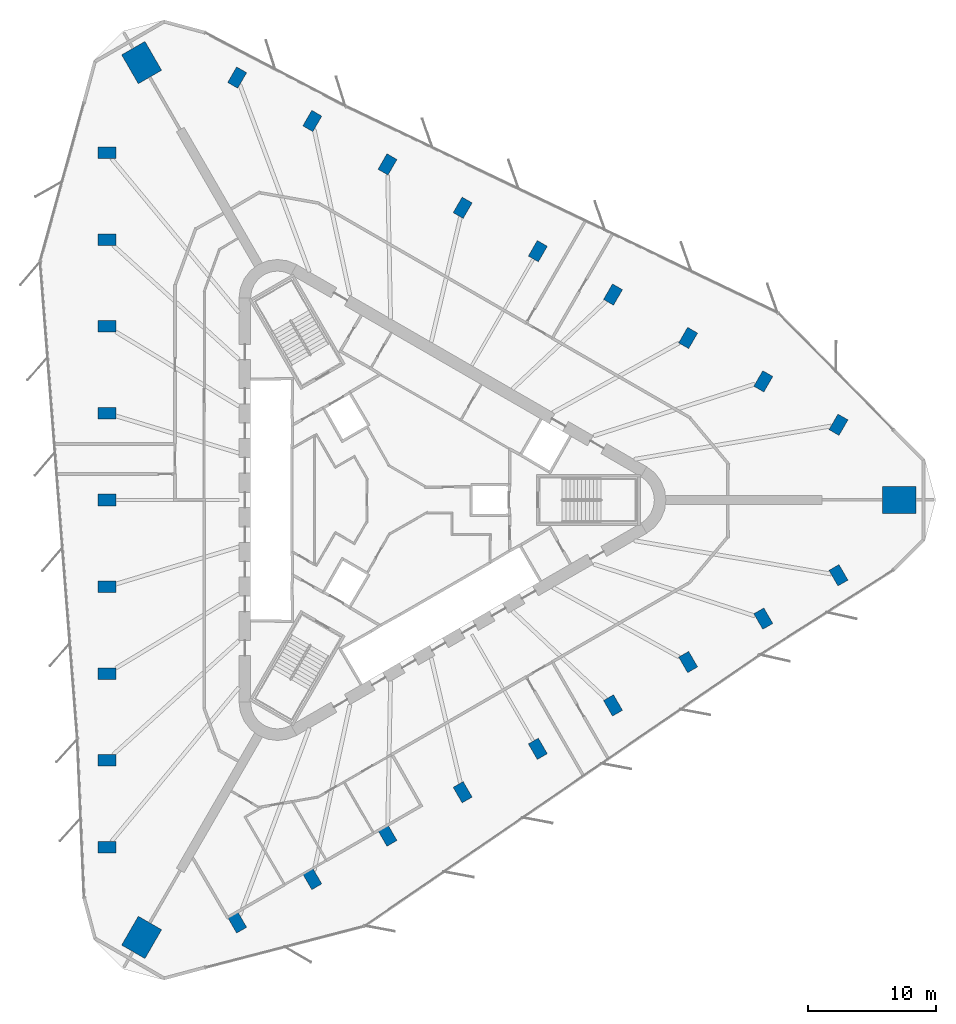
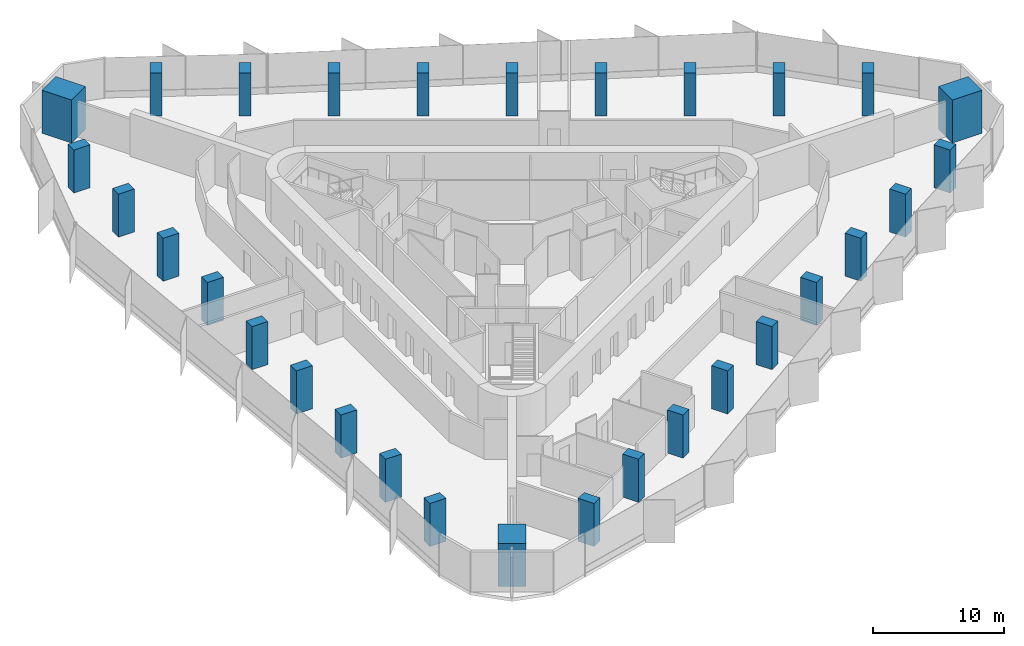
# One storey, part 1 of 13: 30 columns.
"""IFC4 building model written with IfcOpenShell, lengths in metres."""

from ifc_helpers import new_model, si_unit, direction, frame, origin, origin_2d, place, context, subcontext, project, spatial, rectangle, extrude, material, material_profile, profile_set, type_object, element, save


model = new_model("IFC4")

# Units and contexts
model_context = context("Model", 3, precision=1e-05, world=origin(), true_north=direction((0.0, 1.0)))
body_context = subcontext(model_context, "Body", "Model", "MODEL_VIEW")
ifc_project = project(units=[si_unit("LENGTHUNIT", "METRE"), si_unit("AREAUNIT", "SQUARE_METRE"), si_unit("VOLUMEUNIT", "CUBIC_METRE"), si_unit("PLANEANGLEUNIT", "RADIAN"), si_unit("MASSUNIT", "GRAM", prefix="KILO")], contexts=[model_context])

# Site, building, storey
site_placement = place(None, origin())
site = spatial("IfcSite", under=ifc_project, at=site_placement, CompositionType="ELEMENT")
building_placement = place(site_placement, origin())
building = spatial("IfcBuilding", under=site, at=building_placement, Name="Tanit Gate Tower", CompositionType="ELEMENT")
storey_placement = place(building_placement, frame((0.0, 0.0, 189.199951171875)))
storey = spatial("IfcBuildingStorey", under=building, at=storey_placement, Name="L41", CompositionType="ELEMENT", Elevation=189.199951171875)

# Columns
ifc_material_1 = material(Name="Concrete C60/75", Category="concrete")
ifc_material_profile_1 = material_profile(ifc_material_1, rectangle(XDim=2.60009765625, YDim=2.10009765625, at=origin_2d()), Name="RC 2600x2100")
ifc_profile_set_1 = profile_set([ifc_material_profile_1], Name="Concrete C60/75")
column_type_1 = type_object("IfcColumnType", Name="MEGA COLUMN 2600x2100 C60/75", PredefinedType="COLUMN", material=ifc_profile_set_1)
for number, where, z_axis, x_axis, name in (
    (1, (39.40234375, 0.0, 0.0), (0.0, 0.0, 1.0), (1.0, 0.0, 0.0), "MEGA COLUMN"),
    (2, (-19.701171875, 34.12353515625, 0.0), (0.0, 0.0, 1.0), (-0.5, 0.866025403784, 0.0), "MEGA COLUMN"),
    (3, (-19.701171875, -34.12353515625, 0.0), (0.0, 0.0, 1.0), (-0.5, -0.866025403784, 0.0), "MEGA COLUMN"),
):
    element("IfcColumn", number, at=place(storey_placement, frame(where, z_axis=z_axis, x_axis=x_axis)), inside=storey, type_object=column_type_1, Name=name, PredefinedType="COLUMN", context=body_context, shape_type="SweptSolid", body=[
        extrude(rectangle(XDim=2.60009765625, YDim=2.10009765625, at=origin_2d()), origin(), (0.0, 0.0, 1.0), 4.0),
    ])
ifc_material_2 = material(Name="Concrete C50/60", Category="concrete")
ifc_material_profile_2 = material_profile(ifc_material_2, rectangle(XDim=1.39990234375, YDim=0.89990234375, at=origin_2d()), Name="RC 1400x900")
ifc_profile_set_2 = profile_set([ifc_material_profile_2], Name="Concrete C50/60")
column_type_2 = type_object("IfcColumnType", Name="PERIMETER COLUMN 1400x900 C50/60", PredefinedType="COLUMN", material=ifc_profile_set_2)
for number, where, z_axis, x_axis, name in (
    (4, (-22.414794921875, 27.083984375, 0.0), (0.0, 0.0, 1.0), (-1.0, 0.0, 0.0), "PERIMETER COLUMN"),
    (5, (-22.414794921875, 20.31298828125, 0.0), (0.0, 0.0, 1.0), (-1.0, 0.0, 0.0), "PERIMETER COLUMN"),
    (6, (-22.414794921875, 13.5419921875, 0.0), (0.0, 0.0, 1.0), (-1.0, 0.0, 0.0), "PERIMETER COLUMN"),
    (7, (-22.414794921875, 6.77099609375, 0.0), (0.0, 0.0, 1.0), (-1.0, 0.0, 0.0), "PERIMETER COLUMN"),
    (8, (-22.414794921875, 0.0, 0.0), (0.0, 0.0, 1.0), (-1.0, 0.0, 0.0), "PERIMETER COLUMN"),
    (9, (-22.414794921875, -6.77099609375, 0.0), (0.0, 0.0, 1.0), (-1.0, 0.0, 0.0), "PERIMETER COLUMN"),
    (10, (-22.414794921875, -13.5419921875, 0.0), (0.0, 0.0, 1.0), (-1.0, 0.0, 0.0), "PERIMETER COLUMN"),
    (11, (-22.414794921875, -20.31298828125, 0.0), (0.0, 0.0, 1.0), (-1.0, 0.0, 0.0), "PERIMETER COLUMN"),
    (12, (-22.414794921875, -27.083984375, 0.0), (0.0, 0.0, 1.0), (-1.0, 0.0, 0.0), "PERIMETER COLUMN"),
    (13, (34.66259765625, 5.86962890625, 0.0), (0.0, 0.0, 1.0), (0.5, 0.866025403784, 0.0), "PERIMETER COLUMN"),
    (14, (28.798828125, 9.255126953125, 0.0), (0.0, 0.0, 1.0), (0.5, 0.866025403784, 0.0), "PERIMETER COLUMN"),
    (15, (22.93505859375, 12.640625, 0.0), (0.0, 0.0, 1.0), (0.5, 0.866025403784, 0.0), "PERIMETER COLUMN"),
    (16, (17.0712890625, 16.026123046875, 0.0), (0.0, 0.0, 1.0), (0.5, 0.866025403784, 0.0), "PERIMETER COLUMN"),
    (17, (11.207275390625, 19.41162109375, 0.0), (0.0, 0.0, 1.0), (0.5, 0.866025403784, 0.0), "PERIMETER COLUMN"),
    (18, (5.343505859375, 22.797119140625, 0.0), (0.0, 0.0, 1.0), (0.5, 0.866025403784, 0.0), "PERIMETER COLUMN"),
    (19, (-0.520263671875, 26.1826171875, 0.0), (0.0, 0.0, 1.0), (0.5, 0.866025403784, 0.0), "PERIMETER COLUMN"),
    (20, (-6.38427734375, 29.568115234375, 0.0), (0.0, 0.0, 1.0), (0.5, 0.866025403784, 0.0), "PERIMETER COLUMN"),
    (21, (-12.248046875, 32.95361328125, 0.0), (0.0, 0.0, 1.0), (0.5, 0.866025403784, 0.0), "PERIMETER COLUMN"),
    (22, (-12.248046875, -32.95361328125, 0.0), (0.0, 0.0, 1.0), (0.5, -0.866025403784, 0.0), "PERIMETER COLUMN"),
    (23, (-6.38427734375, -29.568115234375, 0.0), (0.0, 0.0, 1.0), (0.5, -0.866025403784, 0.0), "PERIMETER COLUMN"),
    (24, (-0.520263671875, -26.1826171875, 0.0), (0.0, 0.0, 1.0), (0.5, -0.866025403784, 0.0), "PERIMETER COLUMN"),
    (25, (5.343505859375, -22.797119140625, 0.0), (0.0, 0.0, 1.0), (0.5, -0.866025403784, 0.0), "PERIMETER COLUMN"),
    (26, (11.207275390625, -19.41162109375, 0.0), (0.0, 0.0, 1.0), (0.5, -0.866025403784, 0.0), "PERIMETER COLUMN"),
    (27, (17.0712890625, -16.026123046875, 0.0), (0.0, 0.0, 1.0), (0.5, -0.866025403784, 0.0), "PERIMETER COLUMN"),
    (28, (22.93505859375, -12.640625, 0.0), (0.0, 0.0, 1.0), (0.5, -0.866025403784, 0.0), "PERIMETER COLUMN"),
    (29, (28.798828125, -9.255126953125, 0.0), (0.0, 0.0, 1.0), (0.5, -0.866025403784, 0.0), "PERIMETER COLUMN"),
    (30, (34.66259765625, -5.86962890625, 0.0), (0.0, 0.0, 1.0), (0.5, -0.866025403784, 0.0), "PERIMETER COLUMN"),
):
    element("IfcColumn", number, at=place(storey_placement, frame(where, z_axis=z_axis, x_axis=x_axis)), inside=storey, type_object=column_type_2, Name=name, PredefinedType="COLUMN", context=body_context, shape_type="SweptSolid", body=[
        extrude(rectangle(XDim=1.39990234375, YDim=0.89990234375, at=origin_2d()), origin(), (0.0, 0.0, 1.0), 4.0),
    ])

save(model, "model.ifc")
